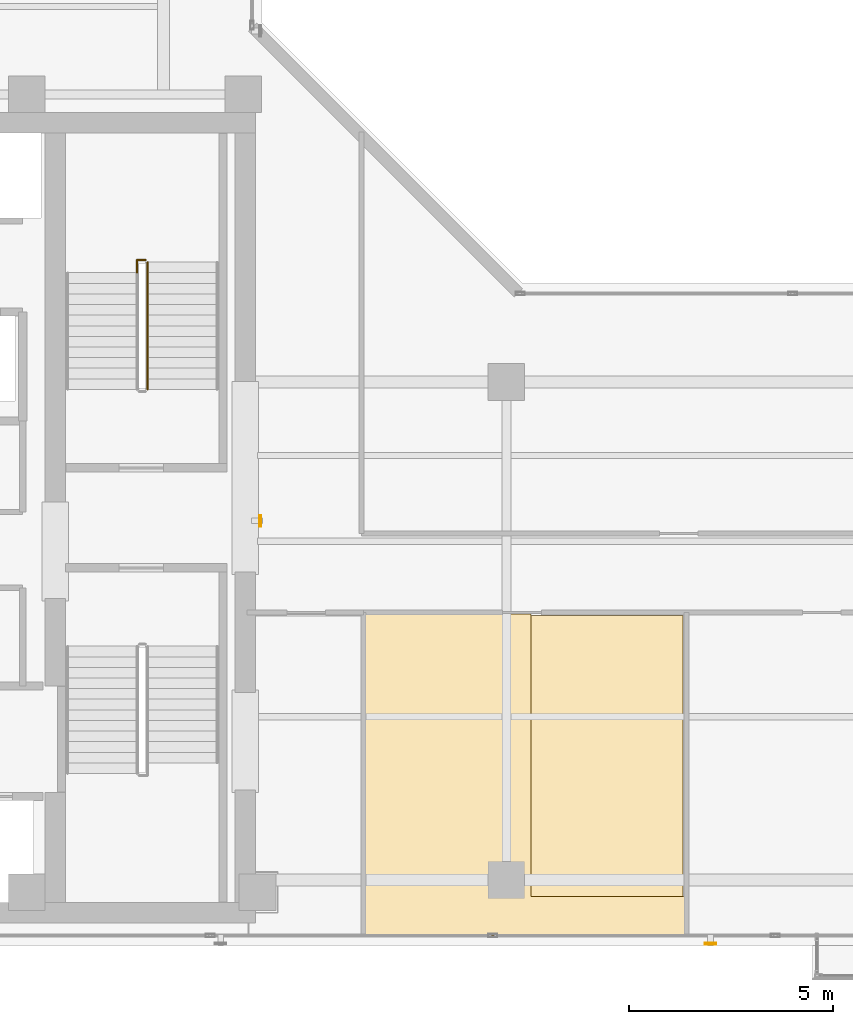
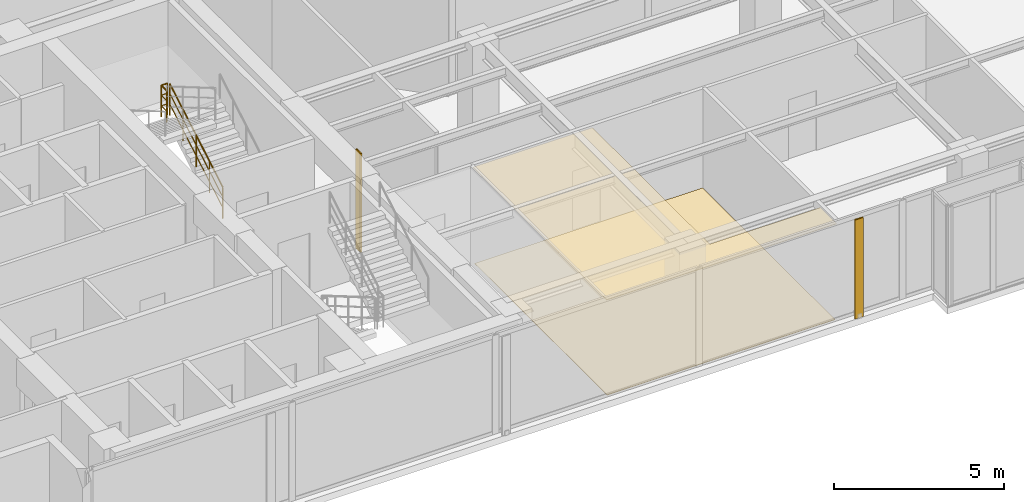
# One storey, part 21 of 24: 2 coverings, 2 railings, 2 shading devices.
"""IFC4 building model written with IfcOpenShell, lengths in metres."""

from ifc_helpers import new_model, si_unit, direction, frame, origin, origin_2d, place, context, subcontext, project, spatial, polyline, hollow_rectangle, circle, outline, extrude, material, layer, layer_set, material_profile, profile_set, type_object, element, save


model = new_model("IFC4")

# Units and contexts
model_context = context("Model", 3, precision=1e-05, world=origin(), true_north=direction((0.0, 1.0)))
body_context = subcontext(model_context, "Body", "Model", "MODEL_VIEW")
ifc_project = project(units=[si_unit("LENGTHUNIT", "METRE"), si_unit("AREAUNIT", "SQUARE_METRE"), si_unit("VOLUMEUNIT", "CUBIC_METRE"), si_unit("PLANEANGLEUNIT", "RADIAN"), si_unit("MASSUNIT", "GRAM", prefix="KILO")], contexts=[model_context])

# Site, building, storey
site_placement = place(None, origin())
site = spatial("IfcSite", under=ifc_project, at=site_placement, CompositionType="ELEMENT")
building_placement = place(site_placement, origin())
building = spatial("IfcBuilding", under=site, at=building_placement, Name="Kolvaren Waterfront Exchange", CompositionType="ELEMENT")
storey_placement = place(building_placement, frame((0.0, 0.0, 331.199951171875)))
storey = spatial("IfcBuildingStorey", under=building, at=storey_placement, Name="L85", CompositionType="ELEMENT", Elevation=331.199951171875)

# Covering
ifc_material_1 = material(Name="Mineral fibre acoustic ceiling tile")
ifc_layer_1 = layer(ifc_material_1, 0.02490234375, Name="Mineral fibre acoustic ceiling tile")
ifc_layer_set_1 = layer_set([ifc_layer_1], Name="Mineral fibre acoustic ceiling tile")
covering_type_1 = type_object("IfcCoveringType", Name="ARC-CEIL-ACOUSTIC-25", PredefinedType="CEILING", material=ifc_layer_set_1)
covering_1_placement = place(storey_placement, frame((0.0, 0.0, 3.445068359375)))
element("IfcCovering", 1, at=covering_1_placement, inside=storey, type_object=covering_type_1, Name="L85 acoustic suspended ceiling 3", PredefinedType="CEILING", context=body_context, shape_type="SweptSolid", body=[
    extrude(outline(polyline([(31.56494140625, 3.844970703125), (31.56494140625, 4.800048828125), (27.800048828125, 4.800048828125), (27.800048828125, 11.715087890625), (23.7451171875, 11.715087890625), (23.7451171875, 3.844970703125), (31.56494140625, 3.844970703125)])), origin(), (0.0, 0.0, 1.0), 0.02490234375),
])

# Shading devices
ifc_material_2 = material(Name="Anodised bronze aluminium 6063-T6", Category="aluminium")
ifc_material_profile = material_profile(ifc_material_2, hollow_rectangle(XDim=0.054931640625, YDim=0.280029296875, WallThickness=0.00439453125, at=origin_2d()), Name="BRZ-FIN-280x55x4.5")
ifc_profile_set = profile_set([ifc_material_profile], Name="Anodised bronze aluminium 6063-T6")
shading_device_type = type_object("IfcShadingDeviceType", Name="ARC-FIN-280", PredefinedType="USERDEFINED", material=ifc_profile_set)
for number, where, z_axis, x_axis, name in (
    (2, (32.199951171875, 3.639892578125, 0.0), (0.0, 0.0, 1.0), (0.0, -1.0, 0.0), "L85 anodised bronze solar shading fin FIN-L85-S3"),
    (3, (21.17041015625, 14.0, 0.0), (0.0, 0.0, 1.0), (1.0, 0.0, 0.0), "L85 anodised bronze solar shading fin FIN-L85-E1"),
):
    element("IfcShadingDevice", number, at=place(storey_placement, frame(where, z_axis=z_axis, x_axis=x_axis)), inside=storey, type_object=shading_device_type, Name=name, ObjectType="SOLAR FIN", PredefinedType="USERDEFINED", context=body_context, shape_type="SweptSolid", body=[
        extrude(hollow_rectangle(XDim=0.054931640625, YDim=0.280029296875, WallThickness=0.00439453125, at=origin_2d()), origin(), (0.0, 0.0, 1.0), 3.56005859375),
    ])

# Covering
ifc_material_3 = material(Name="Slip-resistant porcelain tile")
ifc_layer_2 = layer(ifc_material_3, 0.014892578125, Name="Slip-resistant porcelain tile")
ifc_layer_set_2 = layer_set([ifc_layer_2], Name="Slip-resistant porcelain tile")
covering_type_2 = type_object("IfcCoveringType", Name="ARC-FLR-PORC-15", PredefinedType="FLOORING", material=ifc_layer_set_2)
covering_2_placement = place(storey_placement, origin())
element("IfcCovering", 4, at=covering_2_placement, inside=storey, type_object=covering_type_2, Name="L85 floor finish 3", PredefinedType="FLOORING", context=body_context, shape_type="SweptSolid", body=[
    extrude(outline(polyline([(23.780029296875, 11.679931640625), (23.780029296875, 3.8798828125), (31.530029296875, 3.8798828125), (31.530029296875, 11.679931640625), (23.780029296875, 11.679931640625)])), origin(), (0.0, 0.0, 1.0), 0.01513671875),
])

# Railings
ifc_material_4 = material(Name="Stainless steel 316", Category="steel")
railing_type = type_object("IfcRailingType", Name="ARC-GUARD-STAIR", PredefinedType="GUARDRAIL", material=ifc_material_4)
railing_1_placement = place(storey_placement, frame((18.409912109375, 17.219970703125, 0.152099609375)))
element("IfcRailing", 5, at=railing_1_placement, inside=storey, type_object=railing_type, Name="L85 ST2 stair guard 1", PredefinedType="GUARDRAIL", context=body_context, shape_type="SweptSolid", body=[
    extrude(circle(Radius=0.02392578125, at=origin_2d()), frame((0.0, 0.0, 1.1259765625), z_axis=(0.0, 0.86330811405, 0.504677223793), x_axis=(-1.0, 0.0, 0.0)), (0.0, 0.0, 1.0), 3.6142578125),
    extrude(circle(Radius=0.01611328125, at=origin_2d()), frame((0.0, 0.0, 0.390869140625), z_axis=(0.0, 0.86330811405, 0.504677223793), x_axis=(-1.0, 0.0, 0.0)), (0.0, 0.0, 1.0), 3.6142578125),
    extrude(circle(Radius=0.01611328125, at=origin_2d()), frame((0.0, 0.0, 0.7705078125), z_axis=(0.0, 0.86330811405, 0.504677223793), x_axis=(-1.0, 0.0, 0.0)), (0.0, 0.0, 1.0), 3.6142578125),
    extrude(circle(Radius=0.02099609375, at=origin_2d()), origin(), (0.0, 0.0, 1.0), 1.101806640625),
    extrude(circle(Radius=0.02099609375, at=origin_2d()), frame((0.0, 0.780029296875, 0.4560546875)), (0.0, 0.0, 1.0), 1.101806640625),
    extrude(circle(Radius=0.02099609375, at=origin_2d()), frame((0.0, 1.56005859375, 0.912109375)), (0.0, 0.0, 1.0), 1.101806640625),
    extrude(circle(Radius=0.02099609375, at=origin_2d()), frame((0.0, 2.340087890625, 1.367919921875)), (0.0, 0.0, 1.0), 1.101806640625),
    extrude(circle(Radius=0.02099609375, at=origin_2d()), frame((0.0, 3.1201171875, 1.823974609375)), (0.0, 0.0, 1.0), 1.101806640625),
])
railing_2_placement = place(storey_placement, frame((18.360107421875, 20.389892578125, 1.97607421875)))
element("IfcRailing", 6, at=railing_2_placement, inside=storey, type_object=railing_type, Name="L85 ST2 stair guard 2", PredefinedType="GUARDRAIL", context=body_context, shape_type="SweptSolid", body=[
    extrude(circle(Radius=0.02392578125, at=origin_2d()), frame((0.0, 0.0, 1.1259765625), z_axis=(-1.0, 0.0, 0.0), x_axis=(0.0, -1.0, 0.0)), (0.0, 0.0, 1.0), 0.210205078125),
    extrude(circle(Radius=0.01611328125, at=origin_2d()), frame((0.0, 0.0, 0.390869140625), z_axis=(-1.0, 0.0, 0.0), x_axis=(0.0, -1.0, 0.0)), (0.0, 0.0, 1.0), 0.210205078125),
    extrude(circle(Radius=0.01611328125, at=origin_2d()), frame((0.0, 0.0, 0.7705078125), z_axis=(-1.0, 0.0, 0.0), x_axis=(0.0, -1.0, 0.0)), (0.0, 0.0, 1.0), 0.210205078125),
    extrude(circle(Radius=0.02392578125, at=origin_2d()), frame((-0.210205078125, 0.0, 1.1259765625), z_axis=(0.0, -1.0, 0.0), x_axis=(1.0, 0.0, 0.0)), (0.0, 0.0, 1.0), 0.309814453125),
    extrude(circle(Radius=0.01611328125, at=origin_2d()), frame((-0.210205078125, 0.0, 0.390869140625), z_axis=(0.0, -1.0, 0.0), x_axis=(1.0, 0.0, 0.0)), (0.0, 0.0, 1.0), 0.309814453125),
    extrude(circle(Radius=0.01611328125, at=origin_2d()), frame((-0.210205078125, 0.0, 0.7705078125), z_axis=(0.0, -1.0, 0.0), x_axis=(1.0, 0.0, 0.0)), (0.0, 0.0, 1.0), 0.309814453125),
    extrude(circle(Radius=0.02099609375, at=origin_2d()), origin(), (0.0, 0.0, 1.0), 1.101806640625),
    extrude(circle(Radius=0.02099609375, at=origin_2d()), frame((-0.210205078125, 0.0, 0.0)), (0.0, 0.0, 1.0), 1.101806640625),
    extrude(circle(Radius=0.02099609375, at=origin_2d()), frame((-0.210205078125, -0.309814453125, 0.0)), (0.0, 0.0, 1.0), 1.101806640625),
])

save(model, "model.ifc")
